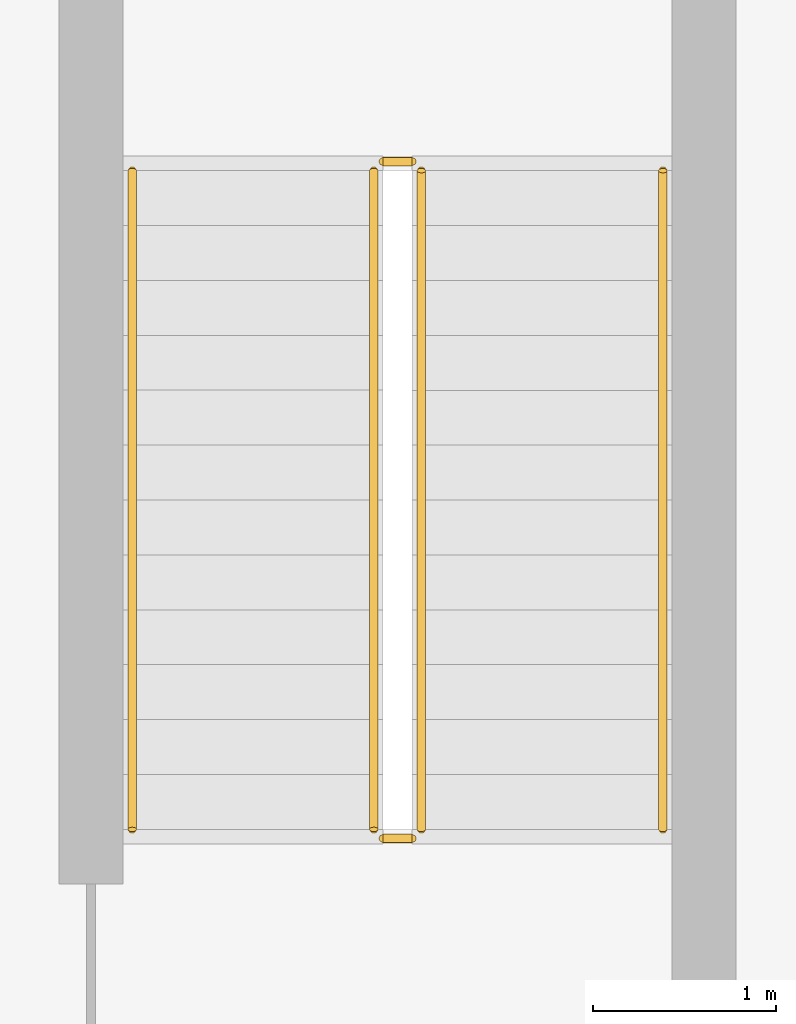
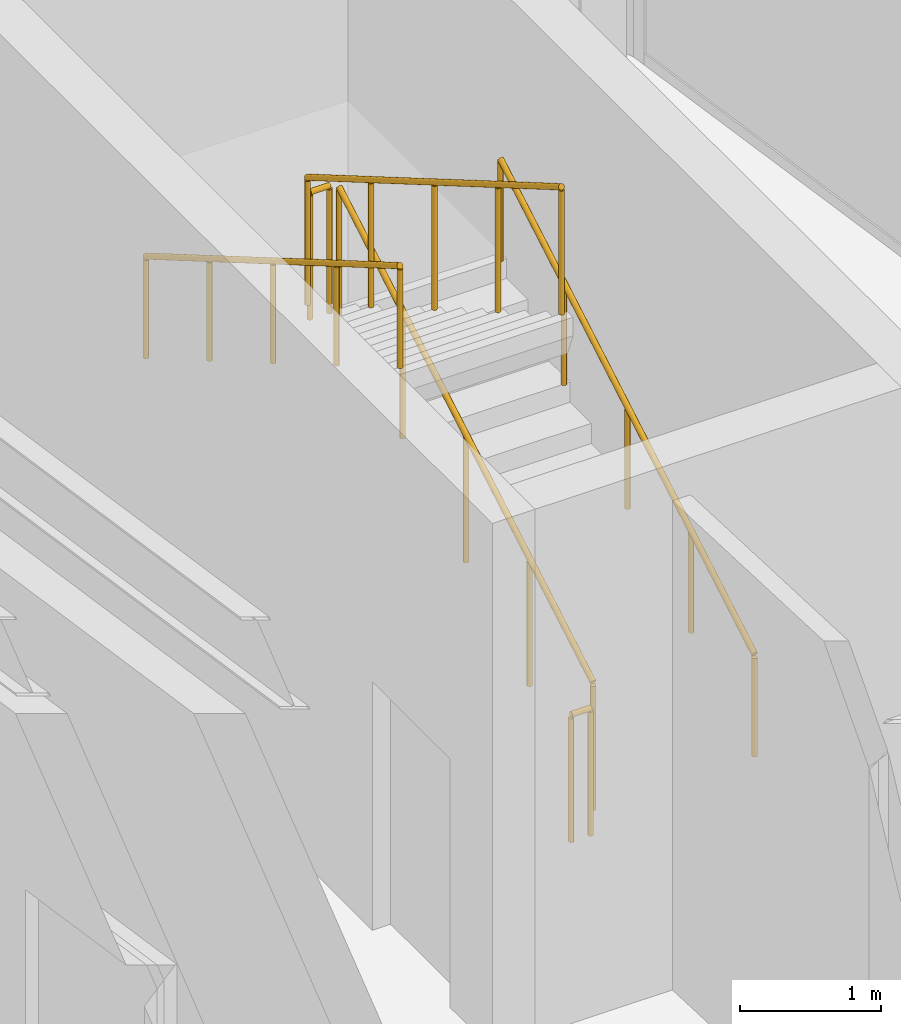
# One storey, part 141 of 157: 6 railings.
"""IFC4 building model written with IfcOpenShell, lengths in metres."""

from ifc_helpers import new_model, si_unit, direction, frame, origin, origin_2d, place, context, subcontext, project, spatial, circle, extrude, material, type_object, element, save


model = new_model("IFC4")

# Units and contexts
model_context = context("Model", 3, precision=1e-05, world=origin(), true_north=direction((0.0, 1.0)))
body_context = subcontext(model_context, "Body", "Model", "MODEL_VIEW")
ifc_project = project(units=[si_unit("LENGTHUNIT", "METRE"), si_unit("AREAUNIT", "SQUARE_METRE"), si_unit("VOLUMEUNIT", "CUBIC_METRE"), si_unit("PLANEANGLEUNIT", "RADIAN"), si_unit("MASSUNIT", "GRAM", prefix="KILO")], contexts=[model_context])

# Site, building, storey
site_placement = place(None, origin())
site = spatial("IfcSite", under=ifc_project, at=site_placement, CompositionType="ELEMENT")
building_placement = place(site_placement, origin())
building = spatial("IfcBuilding", under=site, at=building_placement, Name="Almandine Court Research Institute", CompositionType="ELEMENT")
storey_placement = place(building_placement, frame((0.0, 0.0, 5.25)))
storey = spatial("IfcBuildingStorey", under=building, at=storey_placement, Name="L01", CompositionType="ELEMENT", Elevation=5.25)

# Railings
ifc_material_1 = material(Name="Powder-Coated Steel Stair and Atrium Balustrade", Category="steel")
railing_type_1 = type_object("IfcRailingType", Name="Rail-GUARD-INT", PredefinedType="BALUSTRADE", material=ifc_material_1)
railing_1_placement = place(storey_placement, frame((129.6298828125, 60.64990234375, 0.175048828125)))
element("IfcRailing", 1, at=railing_1_placement, inside=storey, type_object=railing_type_1, Name="L01 ST-14 stair guard 1", PredefinedType="BALUSTRADE", context=body_context, shape_type="SweptSolid", body=[
    extrude(circle(Radius=0.02392578125, at=origin_2d()), frame((0.0, 0.0, 1.09619140625), z_axis=(0.0, 0.863800146258, 0.503834603144), x_axis=(-1.0, 0.0, 0.0)), (0.0, 0.0, 1.0), 4.167724609375),
    extrude(circle(Radius=0.02099609375, at=origin_2d()), origin(), (0.0, 0.0, 1.0), 1.072021484375),
    extrude(circle(Radius=0.02099609375, at=origin_2d()), frame((0.0, 0.89990234375, 0.52490234375)), (0.0, 0.0, 1.0), 1.072021484375),
    extrude(circle(Radius=0.02099609375, at=origin_2d()), frame((0.0, 1.800048828125, 1.0498046875)), (0.0, 0.0, 1.0), 1.072021484375),
    extrude(circle(Radius=0.02099609375, at=origin_2d()), frame((0.0, 2.7001953125, 1.574951171875)), (0.0, 0.0, 1.0), 1.072021484375),
    extrude(circle(Radius=0.02099609375, at=origin_2d()), frame((0.0, 3.60009765625, 2.099853515625)), (0.0, 0.0, 1.0), 1.072021484375),
])
railing_2_placement = place(storey_placement, frame((129.580078125, 64.300048828125, 2.27490234375)))
element("IfcRailing", 2, at=railing_2_placement, inside=storey, type_object=railing_type_1, Name="L01 ST-14 stair guard 2", PredefinedType="BALUSTRADE", context=body_context, shape_type="SweptSolid", body=[
    extrude(circle(Radius=0.02392578125, at=origin_2d()), frame((0.0, 0.0, 1.09619140625), z_axis=(-1.0, 0.0, 0.0), x_axis=(0.0, -1.0, 0.0)), (0.0, 0.0, 1.0), 0.16015625),
    extrude(circle(Radius=0.02099609375, at=origin_2d()), origin(), (0.0, 0.0, 1.0), 1.072021484375),
    extrude(circle(Radius=0.02099609375, at=origin_2d()), frame((-0.16015625, 0.0, 0.0)), (0.0, 0.0, 1.0), 1.072021484375),
])
railing_3_placement = place(storey_placement, frame((129.3701171875, 64.25, 2.449951171875)))
element("IfcRailing", 3, at=railing_3_placement, inside=storey, type_object=railing_type_1, Name="L01 ST-14 stair guard 3", PredefinedType="BALUSTRADE", context=body_context, shape_type="SweptSolid", body=[
    extrude(circle(Radius=0.02392578125, at=origin_2d()), frame((0.0, 0.0, 1.09619140625), z_axis=(0.0, -0.863774651768, 0.503878309678), x_axis=(1.0, 0.0, 0.0)), (0.0, 0.0, 1.0), 4.16796875),
    extrude(circle(Radius=0.02099609375, at=origin_2d()), origin(), (0.0, 0.0, 1.0), 1.072021484375),
    extrude(circle(Radius=0.02099609375, at=origin_2d()), frame((0.0, -0.89990234375, 0.52490234375)), (0.0, 0.0, 1.0), 1.072021484375),
    extrude(circle(Radius=0.02099609375, at=origin_2d()), frame((0.0, -1.800048828125, 1.050048828125)), (0.0, 0.0, 1.0), 1.072021484375),
    extrude(circle(Radius=0.02099609375, at=origin_2d()), frame((0.0, -2.7001953125, 1.5751953125)), (0.0, 0.0, 1.0), 1.072021484375),
    extrude(circle(Radius=0.02099609375, at=origin_2d()), frame((0.0, -3.60009765625, 2.10009765625)), (0.0, 0.0, 1.0), 1.072021484375),
])
railing_4_placement = place(storey_placement, frame((129.580078125, 60.60009765625, 0.0)))
element("IfcRailing", 4, at=railing_4_placement, inside=storey, type_object=railing_type_1, Name="L01 ST-14 stair guard 4", PredefinedType="BALUSTRADE", context=body_context, shape_type="SweptSolid", body=[
    extrude(circle(Radius=0.02392578125, at=origin_2d()), frame((0.0, 0.0, 1.09619140625), z_axis=(-1.0, 0.0, 0.0), x_axis=(0.0, -1.0, 0.0)), (0.0, 0.0, 1.0), 0.16015625),
    extrude(circle(Radius=0.02099609375, at=origin_2d()), origin(), (0.0, 0.0, 1.0), 1.072021484375),
    extrude(circle(Radius=0.02099609375, at=origin_2d()), frame((-0.16015625, 0.0, 0.0)), (0.0, 0.0, 1.0), 1.072021484375),
])
ifc_material_2 = material(Name="Brushed Stainless Steel Wall Handrail", Category="steel")
railing_type_2 = type_object("IfcRailingType", Name="Rail-HAND-INT", PredefinedType="HANDRAIL", material=ifc_material_2)
railing_5_placement = place(storey_placement, frame((130.949951171875, 60.64990234375, 0.175048828125)))
element("IfcRailing", 5, at=railing_5_placement, inside=storey, type_object=railing_type_2, Name="L01 ST-14 stair handrail 1", PredefinedType="HANDRAIL", context=body_context, shape_type="SweptSolid", body=[
    extrude(circle(Radius=0.02392578125, at=origin_2d()), frame((0.0, 0.0, 0.8759765625), z_axis=(0.0, 0.863800146258, 0.503834603144), x_axis=(-1.0, 0.0, 0.0)), (0.0, 0.0, 1.0), 4.167724609375),
    extrude(circle(Radius=0.02099609375, at=origin_2d()), origin(), (0.0, 0.0, 1.0), 0.851806640625),
    extrude(circle(Radius=0.02099609375, at=origin_2d()), frame((0.0, 0.89990234375, 0.52490234375)), (0.0, 0.0, 1.0), 0.851806640625),
    extrude(circle(Radius=0.02099609375, at=origin_2d()), frame((0.0, 1.800048828125, 1.0498046875)), (0.0, 0.0, 1.0), 0.851806640625),
    extrude(circle(Radius=0.02099609375, at=origin_2d()), frame((0.0, 2.7001953125, 1.574951171875)), (0.0, 0.0, 1.0), 0.851806640625),
    extrude(circle(Radius=0.02099609375, at=origin_2d()), frame((0.0, 3.60009765625, 2.099853515625)), (0.0, 0.0, 1.0), 0.851806640625),
])
railing_6_placement = place(storey_placement, frame((128.050048828125, 64.25, 2.449951171875)))
element("IfcRailing", 6, at=railing_6_placement, inside=storey, type_object=railing_type_2, Name="L01 ST-14 stair handrail 2", PredefinedType="HANDRAIL", context=body_context, shape_type="SweptSolid", body=[
    extrude(circle(Radius=0.02392578125, at=origin_2d()), frame((0.0, 0.0, 0.8759765625), z_axis=(0.0, -0.863774651768, 0.503878309678), x_axis=(1.0, 0.0, 0.0)), (0.0, 0.0, 1.0), 4.16796875),
    extrude(circle(Radius=0.02099609375, at=origin_2d()), origin(), (0.0, 0.0, 1.0), 0.851806640625),
    extrude(circle(Radius=0.02099609375, at=origin_2d()), frame((0.0, -0.89990234375, 0.52490234375)), (0.0, 0.0, 1.0), 0.851806640625),
    extrude(circle(Radius=0.02099609375, at=origin_2d()), frame((0.0, -1.800048828125, 1.050048828125)), (0.0, 0.0, 1.0), 0.851806640625),
    extrude(circle(Radius=0.02099609375, at=origin_2d()), frame((0.0, -2.7001953125, 1.5751953125)), (0.0, 0.0, 1.0), 0.851806640625),
    extrude(circle(Radius=0.02099609375, at=origin_2d()), frame((0.0, -3.60009765625, 2.10009765625)), (0.0, 0.0, 1.0), 0.851806640625),
])

save(model, "model.ifc")
